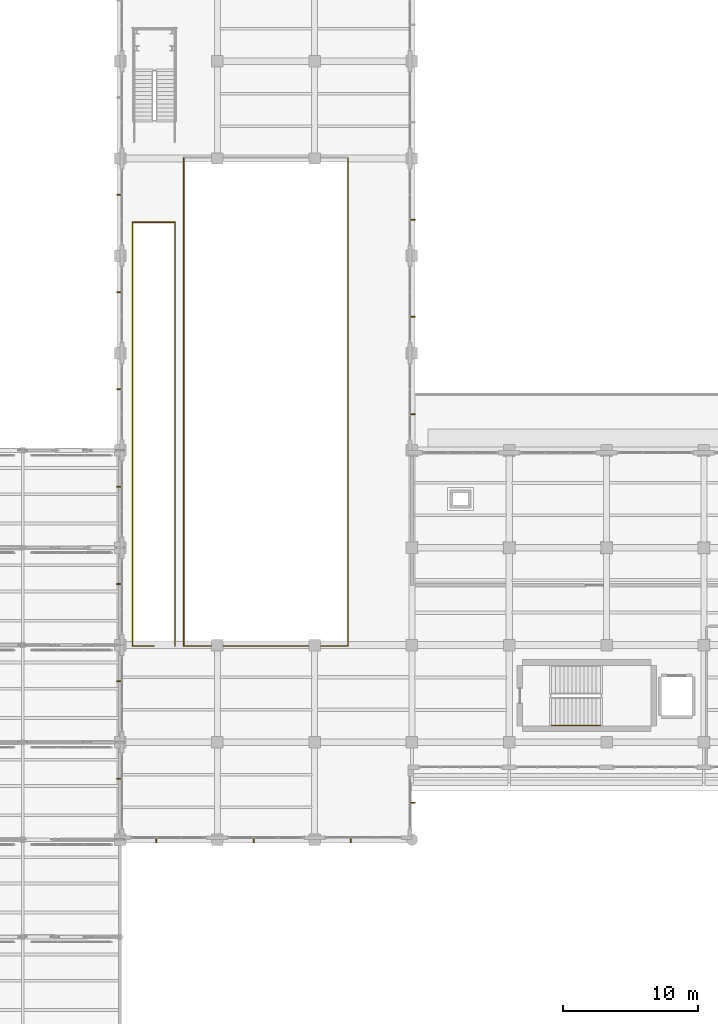
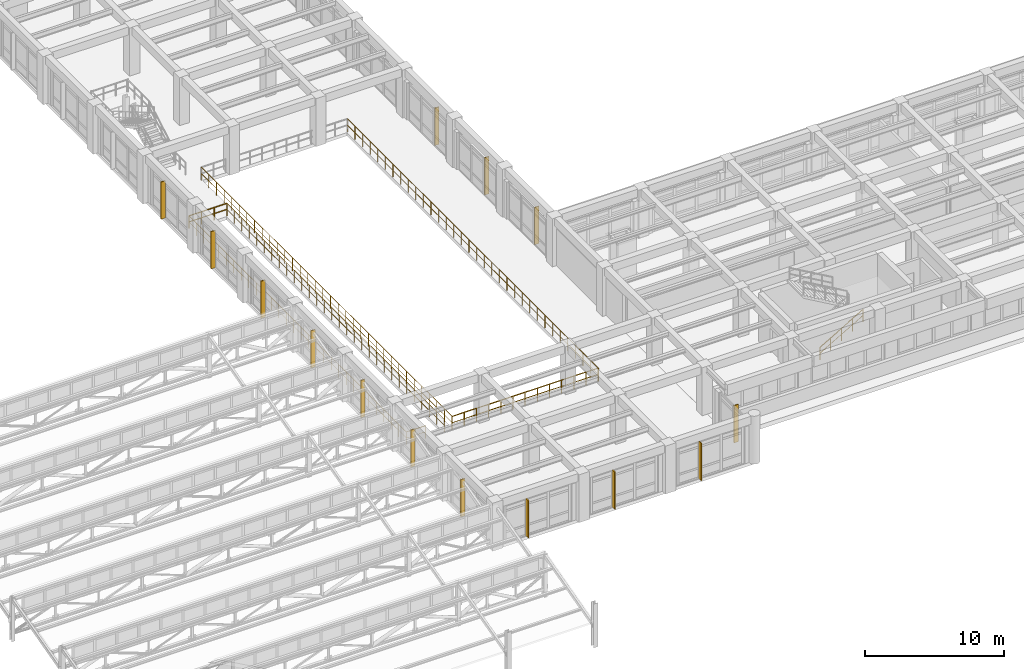
# One storey, part 90 of 98: 14 shading devices, 8 railings.
"""IFC4 building model written with IfcOpenShell, lengths in metres."""

from ifc_helpers import new_model, si_unit, direction, frame, origin, origin_2d, place, context, subcontext, project, spatial, rectangle, circle, extrude, material, material_profile, profile_set, type_object, element, save


model = new_model("IFC4")

# Units and contexts
model_context = context("Model", 3, precision=1e-05, world=origin(), true_north=direction((0.0, 1.0)))
body_context = subcontext(model_context, "Body", "Model", "MODEL_VIEW")
ifc_project = project(units=[si_unit("LENGTHUNIT", "METRE"), si_unit("AREAUNIT", "SQUARE_METRE"), si_unit("VOLUMEUNIT", "CUBIC_METRE"), si_unit("PLANEANGLEUNIT", "RADIAN"), si_unit("MASSUNIT", "GRAM", prefix="KILO")], contexts=[model_context])

# Site, building, storey
site_placement = place(None, origin())
site = spatial("IfcSite", under=ifc_project, at=site_placement, CompositionType="ELEMENT")
building_placement = place(site_placement, origin())
building = spatial("IfcBuilding", under=site, at=building_placement, Name="Solenvale Faculty of Natural Sciences", CompositionType="ELEMENT")
storey_placement = place(building_placement, frame((0.0, 0.0, 9.0)))
storey = spatial("IfcBuildingStorey", under=building, at=storey_placement, Name="L02", CompositionType="ELEMENT", Elevation=9.0)

# Railings
ifc_material_1 = material(Name="Stainless steel Grade 304", Category="steel")
railing_type_1 = type_object("IfcRailingType", Name="RL-GRD-1100", PredefinedType="GUARDRAIL", material=ifc_material_1)
railing_1_placement = place(storey_placement, frame((36.919921875, 28.719970703125, 0.0)))
element("IfcRailing", 1, at=railing_1_placement, inside=storey, type_object=railing_type_1, Name="L02 Ramp Opening Guardrail S", PredefinedType="GUARDRAIL", context=body_context, shape_type="SweptSolid", body=[
    extrude(circle(Radius=0.02392578125, at=origin_2d()), frame((0.0, 0.0, 1.09619140625), z_axis=(1.0, 0.0, 0.0), x_axis=(0.0, 1.0, 0.0)), (0.0, 0.0, 1.0), 1.580078125),
    extrude(circle(Radius=0.01611328125, at=origin_2d()), frame((0.0, 0.0, 0.56005859375), z_axis=(1.0, 0.0, 0.0), x_axis=(0.0, 1.0, 0.0)), (0.0, 0.0, 1.0), 1.580078125),
    extrude(circle(Radius=0.02099609375, at=origin_2d()), origin(), (0.0, 0.0, 1.0), 1.072021484375),
    extrude(circle(Radius=0.02099609375, at=origin_2d()), frame((0.7900390625, 0.0, 0.0)), (0.0, 0.0, 1.0), 1.072021484375),
    extrude(circle(Radius=0.02099609375, at=origin_2d()), frame((1.580078125, 0.0, 0.0)), (0.0, 0.0, 1.0), 1.072021484375),
])
railing_2_placement = place(storey_placement, frame((36.919921875, 28.719970703125, 0.0)))
element("IfcRailing", 2, at=railing_2_placement, inside=storey, type_object=railing_type_1, Name="L02 Ramp Opening Guardrail W", PredefinedType="GUARDRAIL", context=body_context, shape_type="SweptSolid", body=[
    extrude(circle(Radius=0.02392578125, at=origin_2d()), frame((0.0, 0.0, 1.09619140625), z_axis=(0.0, 1.0, 0.0), x_axis=(-1.0, 0.0, 0.0)), (0.0, 0.0, 1.0), 31.360107421875),
    extrude(circle(Radius=0.01611328125, at=origin_2d()), frame((0.0, 0.0, 0.56005859375), z_axis=(0.0, 1.0, 0.0), x_axis=(-1.0, 0.0, 0.0)), (0.0, 0.0, 1.0), 31.360107421875),
    extrude(circle(Radius=0.02099609375, at=origin_2d()), origin(), (0.0, 0.0, 1.0), 1.072021484375),
    extrude(circle(Radius=0.02099609375, at=origin_2d()), frame((0.0, 1.081298828125, 0.0)), (0.0, 0.0, 1.0), 1.072021484375),
    extrude(circle(Radius=0.02099609375, at=origin_2d()), frame((0.0, 2.162841796875, 0.0)), (0.0, 0.0, 1.0), 1.072021484375),
    extrude(circle(Radius=0.02099609375, at=origin_2d()), frame((0.0, 3.244140625, 0.0)), (0.0, 0.0, 1.0), 1.072021484375),
    extrude(circle(Radius=0.02099609375, at=origin_2d()), frame((0.0, 4.325439453125, 0.0)), (0.0, 0.0, 1.0), 1.072021484375),
    extrude(circle(Radius=0.02099609375, at=origin_2d()), frame((0.0, 5.406982421875, 0.0)), (0.0, 0.0, 1.0), 1.072021484375),
    extrude(circle(Radius=0.02099609375, at=origin_2d()), frame((0.0, 6.48828125, 0.0)), (0.0, 0.0, 1.0), 1.072021484375),
    extrude(circle(Radius=0.02099609375, at=origin_2d()), frame((0.0, 7.569580078125, 0.0)), (0.0, 0.0, 1.0), 1.072021484375),
    extrude(circle(Radius=0.02099609375, at=origin_2d()), frame((0.0, 8.651123046875, 0.0)), (0.0, 0.0, 1.0), 1.072021484375),
    extrude(circle(Radius=0.02099609375, at=origin_2d()), frame((0.0, 9.732421875, 0.0)), (0.0, 0.0, 1.0), 1.072021484375),
    extrude(circle(Radius=0.02099609375, at=origin_2d()), frame((0.0, 10.813720703125, 0.0)), (0.0, 0.0, 1.0), 1.072021484375),
    extrude(circle(Radius=0.02099609375, at=origin_2d()), frame((0.0, 11.895263671875, 0.0)), (0.0, 0.0, 1.0), 1.072021484375),
    extrude(circle(Radius=0.02099609375, at=origin_2d()), frame((0.0, 12.9765625, 0.0)), (0.0, 0.0, 1.0), 1.072021484375),
    extrude(circle(Radius=0.02099609375, at=origin_2d()), frame((0.0, 14.057861328125, 0.0)), (0.0, 0.0, 1.0), 1.072021484375),
    extrude(circle(Radius=0.02099609375, at=origin_2d()), frame((0.0, 15.139404296875, 0.0)), (0.0, 0.0, 1.0), 1.072021484375),
    extrude(circle(Radius=0.02099609375, at=origin_2d()), frame((0.0, 16.220703125, 0.0)), (0.0, 0.0, 1.0), 1.072021484375),
    extrude(circle(Radius=0.02099609375, at=origin_2d()), frame((0.0, 17.30224609375, 0.0)), (0.0, 0.0, 1.0), 1.072021484375),
    extrude(circle(Radius=0.02099609375, at=origin_2d()), frame((0.0, 18.383544921875, 0.0)), (0.0, 0.0, 1.0), 1.072021484375),
    extrude(circle(Radius=0.02099609375, at=origin_2d()), frame((0.0, 19.46484375, 0.0)), (0.0, 0.0, 1.0), 1.072021484375),
    extrude(circle(Radius=0.02099609375, at=origin_2d()), frame((0.0, 20.54638671875, 0.0)), (0.0, 0.0, 1.0), 1.072021484375),
    extrude(circle(Radius=0.02099609375, at=origin_2d()), frame((0.0, 21.627685546875, 0.0)), (0.0, 0.0, 1.0), 1.072021484375),
    extrude(circle(Radius=0.02099609375, at=origin_2d()), frame((0.0, 22.708984375, 0.0)), (0.0, 0.0, 1.0), 1.072021484375),
    extrude(circle(Radius=0.02099609375, at=origin_2d()), frame((0.0, 23.79052734375, 0.0)), (0.0, 0.0, 1.0), 1.072021484375),
    extrude(circle(Radius=0.02099609375, at=origin_2d()), frame((0.0, 24.871826171875, 0.0)), (0.0, 0.0, 1.0), 1.072021484375),
    extrude(circle(Radius=0.02099609375, at=origin_2d()), frame((0.0, 25.953125, 0.0)), (0.0, 0.0, 1.0), 1.072021484375),
    extrude(circle(Radius=0.02099609375, at=origin_2d()), frame((0.0, 27.03466796875, 0.0)), (0.0, 0.0, 1.0), 1.072021484375),
    extrude(circle(Radius=0.02099609375, at=origin_2d()), frame((0.0, 28.115966796875, 0.0)), (0.0, 0.0, 1.0), 1.072021484375),
    extrude(circle(Radius=0.02099609375, at=origin_2d()), frame((0.0, 29.197265625, 0.0)), (0.0, 0.0, 1.0), 1.072021484375),
    extrude(circle(Radius=0.02099609375, at=origin_2d()), frame((0.0, 30.27880859375, 0.0)), (0.0, 0.0, 1.0), 1.072021484375),
    extrude(circle(Radius=0.02099609375, at=origin_2d()), frame((0.0, 31.360107421875, 0.0)), (0.0, 0.0, 1.0), 1.072021484375),
])
railing_3_placement = place(storey_placement, frame((36.919921875, 60.080078125, 0.0)))
element("IfcRailing", 3, at=railing_3_placement, inside=storey, type_object=railing_type_1, Name="L02 Ramp Opening Guardrail N", PredefinedType="GUARDRAIL", context=body_context, shape_type="SweptSolid", body=[
    extrude(circle(Radius=0.02392578125, at=origin_2d()), frame((0.0, 0.0, 1.09619140625), z_axis=(1.0, 0.0, 0.0), x_axis=(0.0, 1.0, 0.0)), (0.0, 0.0, 1.0), 3.16015625),
    extrude(circle(Radius=0.01611328125, at=origin_2d()), frame((0.0, 0.0, 0.56005859375), z_axis=(1.0, 0.0, 0.0), x_axis=(0.0, 1.0, 0.0)), (0.0, 0.0, 1.0), 3.16015625),
    extrude(circle(Radius=0.02099609375, at=origin_2d()), origin(), (0.0, 0.0, 1.0), 1.072021484375),
    extrude(circle(Radius=0.02099609375, at=origin_2d()), frame((1.053466796875, 0.0, 0.0)), (0.0, 0.0, 1.0), 1.072021484375),
    extrude(circle(Radius=0.02099609375, at=origin_2d()), frame((2.106689453125, 0.0, 0.0)), (0.0, 0.0, 1.0), 1.072021484375),
    extrude(circle(Radius=0.02099609375, at=origin_2d()), frame((3.16015625, 0.0, 0.0)), (0.0, 0.0, 1.0), 1.072021484375),
])
railing_4_placement = place(storey_placement, frame((40.080078125, 60.080078125, 0.0)))
element("IfcRailing", 4, at=railing_4_placement, inside=storey, type_object=railing_type_1, Name="L02 Ramp Opening Guardrail E", PredefinedType="GUARDRAIL", context=body_context, shape_type="SweptSolid", body=[
    extrude(circle(Radius=0.02392578125, at=origin_2d()), frame((0.0, 0.0, 1.09619140625), z_axis=(0.0, -1.0, 0.0), x_axis=(1.0, 0.0, 0.0)), (0.0, 0.0, 1.0), 31.360107421875),
    extrude(circle(Radius=0.01611328125, at=origin_2d()), frame((0.0, 0.0, 0.56005859375), z_axis=(0.0, -1.0, 0.0), x_axis=(1.0, 0.0, 0.0)), (0.0, 0.0, 1.0), 31.360107421875),
    extrude(circle(Radius=0.02099609375, at=origin_2d()), origin(), (0.0, 0.0, 1.0), 1.072021484375),
    extrude(circle(Radius=0.02099609375, at=origin_2d()), frame((0.0, -1.081298828125, 0.0)), (0.0, 0.0, 1.0), 1.072021484375),
    extrude(circle(Radius=0.02099609375, at=origin_2d()), frame((0.0, -2.162841796875, 0.0)), (0.0, 0.0, 1.0), 1.072021484375),
    extrude(circle(Radius=0.02099609375, at=origin_2d()), frame((0.0, -3.244140625, 0.0)), (0.0, 0.0, 1.0), 1.072021484375),
    extrude(circle(Radius=0.02099609375, at=origin_2d()), frame((0.0, -4.325439453125, 0.0)), (0.0, 0.0, 1.0), 1.072021484375),
    extrude(circle(Radius=0.02099609375, at=origin_2d()), frame((0.0, -5.406982421875, 0.0)), (0.0, 0.0, 1.0), 1.072021484375),
    extrude(circle(Radius=0.02099609375, at=origin_2d()), frame((0.0, -6.48828125, 0.0)), (0.0, 0.0, 1.0), 1.072021484375),
    extrude(circle(Radius=0.02099609375, at=origin_2d()), frame((0.0, -7.569580078125, 0.0)), (0.0, 0.0, 1.0), 1.072021484375),
    extrude(circle(Radius=0.02099609375, at=origin_2d()), frame((0.0, -8.651123046875, 0.0)), (0.0, 0.0, 1.0), 1.072021484375),
    extrude(circle(Radius=0.02099609375, at=origin_2d()), frame((0.0, -9.732421875, 0.0)), (0.0, 0.0, 1.0), 1.072021484375),
    extrude(circle(Radius=0.02099609375, at=origin_2d()), frame((0.0, -10.813720703125, 0.0)), (0.0, 0.0, 1.0), 1.072021484375),
    extrude(circle(Radius=0.02099609375, at=origin_2d()), frame((0.0, -11.895263671875, 0.0)), (0.0, 0.0, 1.0), 1.072021484375),
    extrude(circle(Radius=0.02099609375, at=origin_2d()), frame((0.0, -12.9765625, 0.0)), (0.0, 0.0, 1.0), 1.072021484375),
    extrude(circle(Radius=0.02099609375, at=origin_2d()), frame((0.0, -14.057861328125, 0.0)), (0.0, 0.0, 1.0), 1.072021484375),
    extrude(circle(Radius=0.02099609375, at=origin_2d()), frame((0.0, -15.139404296875, 0.0)), (0.0, 0.0, 1.0), 1.072021484375),
    extrude(circle(Radius=0.02099609375, at=origin_2d()), frame((0.0, -16.220703125, 0.0)), (0.0, 0.0, 1.0), 1.072021484375),
    extrude(circle(Radius=0.02099609375, at=origin_2d()), frame((0.0, -17.30224609375, 0.0)), (0.0, 0.0, 1.0), 1.072021484375),
    extrude(circle(Radius=0.02099609375, at=origin_2d()), frame((0.0, -18.383544921875, 0.0)), (0.0, 0.0, 1.0), 1.072021484375),
    extrude(circle(Radius=0.02099609375, at=origin_2d()), frame((0.0, -19.46484375, 0.0)), (0.0, 0.0, 1.0), 1.072021484375),
    extrude(circle(Radius=0.02099609375, at=origin_2d()), frame((0.0, -20.54638671875, 0.0)), (0.0, 0.0, 1.0), 1.072021484375),
    extrude(circle(Radius=0.02099609375, at=origin_2d()), frame((0.0, -21.627685546875, 0.0)), (0.0, 0.0, 1.0), 1.072021484375),
    extrude(circle(Radius=0.02099609375, at=origin_2d()), frame((0.0, -22.708984375, 0.0)), (0.0, 0.0, 1.0), 1.072021484375),
    extrude(circle(Radius=0.02099609375, at=origin_2d()), frame((0.0, -23.79052734375, 0.0)), (0.0, 0.0, 1.0), 1.072021484375),
    extrude(circle(Radius=0.02099609375, at=origin_2d()), frame((0.0, -24.871826171875, 0.0)), (0.0, 0.0, 1.0), 1.072021484375),
    extrude(circle(Radius=0.02099609375, at=origin_2d()), frame((0.0, -25.953125, 0.0)), (0.0, 0.0, 1.0), 1.072021484375),
    extrude(circle(Radius=0.02099609375, at=origin_2d()), frame((0.0, -27.03466796875, 0.0)), (0.0, 0.0, 1.0), 1.072021484375),
    extrude(circle(Radius=0.02099609375, at=origin_2d()), frame((0.0, -28.115966796875, 0.0)), (0.0, 0.0, 1.0), 1.072021484375),
    extrude(circle(Radius=0.02099609375, at=origin_2d()), frame((0.0, -29.197265625, 0.0)), (0.0, 0.0, 1.0), 1.072021484375),
    extrude(circle(Radius=0.02099609375, at=origin_2d()), frame((0.0, -30.27880859375, 0.0)), (0.0, 0.0, 1.0), 1.072021484375),
    extrude(circle(Radius=0.02099609375, at=origin_2d()), frame((0.0, -31.360107421875, 0.0)), (0.0, 0.0, 1.0), 1.072021484375),
])
railing_type_2 = type_object("IfcRailingType", Name="RL-GRD-ATR-1150", PredefinedType="GUARDRAIL", material=ifc_material_1)
railing_5_placement = place(storey_placement, frame((40.719970703125, 28.719970703125, 0.0)))
element("IfcRailing", 5, at=railing_5_placement, inside=storey, type_object=railing_type_2, Name="L02 Atrium Gallery Guardrail S", PredefinedType="GUARDRAIL", context=body_context, shape_type="SweptSolid", body=[
    extrude(circle(Radius=0.02392578125, at=origin_2d()), frame((0.0, 0.0, 1.1357421875), z_axis=(1.0, 0.0, 0.0), x_axis=(0.0, 1.0, 0.0)), (0.0, 0.0, 1.0), 12.159912109375),
    extrude(circle(Radius=0.01611328125, at=origin_2d()), frame((0.0, 0.0, 0.580078125), z_axis=(1.0, 0.0, 0.0), x_axis=(0.0, 1.0, 0.0)), (0.0, 0.0, 1.0), 12.159912109375),
    extrude(circle(Radius=0.02099609375, at=origin_2d()), origin(), (0.0, 0.0, 1.0), 1.11181640625),
    extrude(circle(Radius=0.02099609375, at=origin_2d()), frame((1.013427734375, 0.0, 0.0)), (0.0, 0.0, 1.0), 1.11181640625),
    extrude(circle(Radius=0.02099609375, at=origin_2d()), frame((2.026611328125, 0.0, 0.0)), (0.0, 0.0, 1.0), 1.11181640625),
    extrude(circle(Radius=0.02099609375, at=origin_2d()), frame((3.0400390625, 0.0, 0.0)), (0.0, 0.0, 1.0), 1.11181640625),
    extrude(circle(Radius=0.02099609375, at=origin_2d()), frame((4.05322265625, 0.0, 0.0)), (0.0, 0.0, 1.0), 1.11181640625),
    extrude(circle(Radius=0.02099609375, at=origin_2d()), frame((5.066650390625, 0.0, 0.0)), (0.0, 0.0, 1.0), 1.11181640625),
    extrude(circle(Radius=0.02099609375, at=origin_2d()), frame((6.080078125, 0.0, 0.0)), (0.0, 0.0, 1.0), 1.11181640625),
    extrude(circle(Radius=0.02099609375, at=origin_2d()), frame((7.09326171875, 0.0, 0.0)), (0.0, 0.0, 1.0), 1.11181640625),
    extrude(circle(Radius=0.02099609375, at=origin_2d()), frame((8.106689453125, 0.0, 0.0)), (0.0, 0.0, 1.0), 1.11181640625),
    extrude(circle(Radius=0.02099609375, at=origin_2d()), frame((9.119873046875, 0.0, 0.0)), (0.0, 0.0, 1.0), 1.11181640625),
    extrude(circle(Radius=0.02099609375, at=origin_2d()), frame((10.13330078125, 0.0, 0.0)), (0.0, 0.0, 1.0), 1.11181640625),
    extrude(circle(Radius=0.02099609375, at=origin_2d()), frame((11.146484375, 0.0, 0.0)), (0.0, 0.0, 1.0), 1.11181640625),
    extrude(circle(Radius=0.02099609375, at=origin_2d()), frame((12.159912109375, 0.0, 0.0)), (0.0, 0.0, 1.0), 1.11181640625),
])
railing_6_placement = place(storey_placement, frame((52.8798828125, 28.719970703125, 0.0)))
element("IfcRailing", 6, at=railing_6_placement, inside=storey, type_object=railing_type_2, Name="L02 Atrium Gallery Guardrail E", PredefinedType="GUARDRAIL", context=body_context, shape_type="SweptSolid", body=[
    extrude(circle(Radius=0.02392578125, at=origin_2d()), frame((0.0, 0.0, 1.1357421875), z_axis=(0.0, 1.0, 0.0), x_axis=(-1.0, 0.0, 0.0)), (0.0, 0.0, 1.0), 36.159912109375),
    extrude(circle(Radius=0.01611328125, at=origin_2d()), frame((0.0, 0.0, 0.580078125), z_axis=(0.0, 1.0, 0.0), x_axis=(-1.0, 0.0, 0.0)), (0.0, 0.0, 1.0), 36.159912109375),
    extrude(circle(Radius=0.02099609375, at=origin_2d()), origin(), (0.0, 0.0, 1.0), 1.11181640625),
    extrude(circle(Radius=0.02099609375, at=origin_2d()), frame((0.0, 1.095703125, 0.0)), (0.0, 0.0, 1.0), 1.11181640625),
    extrude(circle(Radius=0.02099609375, at=origin_2d()), frame((0.0, 2.19140625, 0.0)), (0.0, 0.0, 1.0), 1.11181640625),
    extrude(circle(Radius=0.02099609375, at=origin_2d()), frame((0.0, 3.287353515625, 0.0)), (0.0, 0.0, 1.0), 1.11181640625),
    extrude(circle(Radius=0.02099609375, at=origin_2d()), frame((0.0, 4.383056640625, 0.0)), (0.0, 0.0, 1.0), 1.11181640625),
    extrude(circle(Radius=0.02099609375, at=origin_2d()), frame((0.0, 5.478759765625, 0.0)), (0.0, 0.0, 1.0), 1.11181640625),
    extrude(circle(Radius=0.02099609375, at=origin_2d()), frame((0.0, 6.574462890625, 0.0)), (0.0, 0.0, 1.0), 1.11181640625),
    extrude(circle(Radius=0.02099609375, at=origin_2d()), frame((0.0, 7.670166015625, 0.0)), (0.0, 0.0, 1.0), 1.11181640625),
    extrude(circle(Radius=0.02099609375, at=origin_2d()), frame((0.0, 8.76611328125, 0.0)), (0.0, 0.0, 1.0), 1.11181640625),
    extrude(circle(Radius=0.02099609375, at=origin_2d()), frame((0.0, 9.86181640625, 0.0)), (0.0, 0.0, 1.0), 1.11181640625),
    extrude(circle(Radius=0.02099609375, at=origin_2d()), frame((0.0, 10.95751953125, 0.0)), (0.0, 0.0, 1.0), 1.11181640625),
    extrude(circle(Radius=0.02099609375, at=origin_2d()), frame((0.0, 12.05322265625, 0.0)), (0.0, 0.0, 1.0), 1.11181640625),
    extrude(circle(Radius=0.02099609375, at=origin_2d()), frame((0.0, 13.149169921875, 0.0)), (0.0, 0.0, 1.0), 1.11181640625),
    extrude(circle(Radius=0.02099609375, at=origin_2d()), frame((0.0, 14.244873046875, 0.0)), (0.0, 0.0, 1.0), 1.11181640625),
    extrude(circle(Radius=0.02099609375, at=origin_2d()), frame((0.0, 15.340576171875, 0.0)), (0.0, 0.0, 1.0), 1.11181640625),
    extrude(circle(Radius=0.02099609375, at=origin_2d()), frame((0.0, 16.436279296875, 0.0)), (0.0, 0.0, 1.0), 1.11181640625),
    extrude(circle(Radius=0.02099609375, at=origin_2d()), frame((0.0, 17.531982421875, 0.0)), (0.0, 0.0, 1.0), 1.11181640625),
    extrude(circle(Radius=0.02099609375, at=origin_2d()), frame((0.0, 18.6279296875, 0.0)), (0.0, 0.0, 1.0), 1.11181640625),
    extrude(circle(Radius=0.02099609375, at=origin_2d()), frame((0.0, 19.7236328125, 0.0)), (0.0, 0.0, 1.0), 1.11181640625),
    extrude(circle(Radius=0.02099609375, at=origin_2d()), frame((0.0, 20.8193359375, 0.0)), (0.0, 0.0, 1.0), 1.11181640625),
    extrude(circle(Radius=0.02099609375, at=origin_2d()), frame((0.0, 21.9150390625, 0.0)), (0.0, 0.0, 1.0), 1.11181640625),
    extrude(circle(Radius=0.02099609375, at=origin_2d()), frame((0.0, 23.0107421875, 0.0)), (0.0, 0.0, 1.0), 1.11181640625),
    extrude(circle(Radius=0.02099609375, at=origin_2d()), frame((0.0, 24.106689453125, 0.0)), (0.0, 0.0, 1.0), 1.11181640625),
    extrude(circle(Radius=0.02099609375, at=origin_2d()), frame((0.0, 25.202392578125, 0.0)), (0.0, 0.0, 1.0), 1.11181640625),
    extrude(circle(Radius=0.02099609375, at=origin_2d()), frame((0.0, 26.298095703125, 0.0)), (0.0, 0.0, 1.0), 1.11181640625),
    extrude(circle(Radius=0.02099609375, at=origin_2d()), frame((0.0, 27.393798828125, 0.0)), (0.0, 0.0, 1.0), 1.11181640625),
    extrude(circle(Radius=0.02099609375, at=origin_2d()), frame((0.0, 28.48974609375, 0.0)), (0.0, 0.0, 1.0), 1.11181640625),
    extrude(circle(Radius=0.02099609375, at=origin_2d()), frame((0.0, 29.58544921875, 0.0)), (0.0, 0.0, 1.0), 1.11181640625),
    extrude(circle(Radius=0.02099609375, at=origin_2d()), frame((0.0, 30.68115234375, 0.0)), (0.0, 0.0, 1.0), 1.11181640625),
    extrude(circle(Radius=0.02099609375, at=origin_2d()), frame((0.0, 31.77685546875, 0.0)), (0.0, 0.0, 1.0), 1.11181640625),
    extrude(circle(Radius=0.02099609375, at=origin_2d()), frame((0.0, 32.87255859375, 0.0)), (0.0, 0.0, 1.0), 1.11181640625),
    extrude(circle(Radius=0.02099609375, at=origin_2d()), frame((0.0, 33.968505859375, 0.0)), (0.0, 0.0, 1.0), 1.11181640625),
    extrude(circle(Radius=0.02099609375, at=origin_2d()), frame((0.0, 35.064208984375, 0.0)), (0.0, 0.0, 1.0), 1.11181640625),
    extrude(circle(Radius=0.02099609375, at=origin_2d()), frame((0.0, 36.159912109375, 0.0)), (0.0, 0.0, 1.0), 1.11181640625),
])
railing_7_placement = place(storey_placement, frame((40.719970703125, 64.8798828125, 0.0)))
element("IfcRailing", 7, at=railing_7_placement, inside=storey, type_object=railing_type_2, Name="L02 Atrium Gallery Guardrail W", PredefinedType="GUARDRAIL", context=body_context, shape_type="SweptSolid", body=[
    extrude(circle(Radius=0.02392578125, at=origin_2d()), frame((0.0, 0.0, 1.1357421875), z_axis=(0.0, -1.0, 0.0), x_axis=(1.0, 0.0, 0.0)), (0.0, 0.0, 1.0), 36.159912109375),
    extrude(circle(Radius=0.01611328125, at=origin_2d()), frame((0.0, 0.0, 0.580078125), z_axis=(0.0, -1.0, 0.0), x_axis=(1.0, 0.0, 0.0)), (0.0, 0.0, 1.0), 36.159912109375),
    extrude(circle(Radius=0.02099609375, at=origin_2d()), origin(), (0.0, 0.0, 1.0), 1.11181640625),
    extrude(circle(Radius=0.02099609375, at=origin_2d()), frame((0.0, -1.095703125, 0.0)), (0.0, 0.0, 1.0), 1.11181640625),
    extrude(circle(Radius=0.02099609375, at=origin_2d()), frame((0.0, -2.19140625, 0.0)), (0.0, 0.0, 1.0), 1.11181640625),
    extrude(circle(Radius=0.02099609375, at=origin_2d()), frame((0.0, -3.287353515625, 0.0)), (0.0, 0.0, 1.0), 1.11181640625),
    extrude(circle(Radius=0.02099609375, at=origin_2d()), frame((0.0, -4.383056640625, 0.0)), (0.0, 0.0, 1.0), 1.11181640625),
    extrude(circle(Radius=0.02099609375, at=origin_2d()), frame((0.0, -5.478759765625, 0.0)), (0.0, 0.0, 1.0), 1.11181640625),
    extrude(circle(Radius=0.02099609375, at=origin_2d()), frame((0.0, -6.574462890625, 0.0)), (0.0, 0.0, 1.0), 1.11181640625),
    extrude(circle(Radius=0.02099609375, at=origin_2d()), frame((0.0, -7.670166015625, 0.0)), (0.0, 0.0, 1.0), 1.11181640625),
    extrude(circle(Radius=0.02099609375, at=origin_2d()), frame((0.0, -8.76611328125, 0.0)), (0.0, 0.0, 1.0), 1.11181640625),
    extrude(circle(Radius=0.02099609375, at=origin_2d()), frame((0.0, -9.86181640625, 0.0)), (0.0, 0.0, 1.0), 1.11181640625),
    extrude(circle(Radius=0.02099609375, at=origin_2d()), frame((0.0, -10.95751953125, 0.0)), (0.0, 0.0, 1.0), 1.11181640625),
    extrude(circle(Radius=0.02099609375, at=origin_2d()), frame((0.0, -12.05322265625, 0.0)), (0.0, 0.0, 1.0), 1.11181640625),
    extrude(circle(Radius=0.02099609375, at=origin_2d()), frame((0.0, -13.149169921875, 0.0)), (0.0, 0.0, 1.0), 1.11181640625),
    extrude(circle(Radius=0.02099609375, at=origin_2d()), frame((0.0, -14.244873046875, 0.0)), (0.0, 0.0, 1.0), 1.11181640625),
    extrude(circle(Radius=0.02099609375, at=origin_2d()), frame((0.0, -15.340576171875, 0.0)), (0.0, 0.0, 1.0), 1.11181640625),
    extrude(circle(Radius=0.02099609375, at=origin_2d()), frame((0.0, -16.436279296875, 0.0)), (0.0, 0.0, 1.0), 1.11181640625),
    extrude(circle(Radius=0.02099609375, at=origin_2d()), frame((0.0, -17.531982421875, 0.0)), (0.0, 0.0, 1.0), 1.11181640625),
    extrude(circle(Radius=0.02099609375, at=origin_2d()), frame((0.0, -18.6279296875, 0.0)), (0.0, 0.0, 1.0), 1.11181640625),
    extrude(circle(Radius=0.02099609375, at=origin_2d()), frame((0.0, -19.7236328125, 0.0)), (0.0, 0.0, 1.0), 1.11181640625),
    extrude(circle(Radius=0.02099609375, at=origin_2d()), frame((0.0, -20.8193359375, 0.0)), (0.0, 0.0, 1.0), 1.11181640625),
    extrude(circle(Radius=0.02099609375, at=origin_2d()), frame((0.0, -21.9150390625, 0.0)), (0.0, 0.0, 1.0), 1.11181640625),
    extrude(circle(Radius=0.02099609375, at=origin_2d()), frame((0.0, -23.0107421875, 0.0)), (0.0, 0.0, 1.0), 1.11181640625),
    extrude(circle(Radius=0.02099609375, at=origin_2d()), frame((0.0, -24.106689453125, 0.0)), (0.0, 0.0, 1.0), 1.11181640625),
    extrude(circle(Radius=0.02099609375, at=origin_2d()), frame((0.0, -25.202392578125, 0.0)), (0.0, 0.0, 1.0), 1.11181640625),
    extrude(circle(Radius=0.02099609375, at=origin_2d()), frame((0.0, -26.298095703125, 0.0)), (0.0, 0.0, 1.0), 1.11181640625),
    extrude(circle(Radius=0.02099609375, at=origin_2d()), frame((0.0, -27.393798828125, 0.0)), (0.0, 0.0, 1.0), 1.11181640625),
    extrude(circle(Radius=0.02099609375, at=origin_2d()), frame((0.0, -28.48974609375, 0.0)), (0.0, 0.0, 1.0), 1.11181640625),
    extrude(circle(Radius=0.02099609375, at=origin_2d()), frame((0.0, -29.58544921875, 0.0)), (0.0, 0.0, 1.0), 1.11181640625),
    extrude(circle(Radius=0.02099609375, at=origin_2d()), frame((0.0, -30.68115234375, 0.0)), (0.0, 0.0, 1.0), 1.11181640625),
    extrude(circle(Radius=0.02099609375, at=origin_2d()), frame((0.0, -31.77685546875, 0.0)), (0.0, 0.0, 1.0), 1.11181640625),
    extrude(circle(Radius=0.02099609375, at=origin_2d()), frame((0.0, -32.87255859375, 0.0)), (0.0, 0.0, 1.0), 1.11181640625),
    extrude(circle(Radius=0.02099609375, at=origin_2d()), frame((0.0, -33.968505859375, 0.0)), (0.0, 0.0, 1.0), 1.11181640625),
    extrude(circle(Radius=0.02099609375, at=origin_2d()), frame((0.0, -35.064208984375, 0.0)), (0.0, 0.0, 1.0), 1.11181640625),
    extrude(circle(Radius=0.02099609375, at=origin_2d()), frame((0.0, -36.159912109375, 0.0)), (0.0, 0.0, 1.0), 1.11181640625),
])
railing_type_3 = type_object("IfcRailingType", Name="RL-HND-900", PredefinedType="HANDRAIL", material=ifc_material_1)
railing_8_placement = place(storey_placement, frame((67.93994140625, 22.85009765625, 0.173095703125)))
element("IfcRailing", 8, at=railing_8_placement, inside=storey, type_object=railing_type_3, Name="L02 ST-03 stair handrail 1", PredefinedType="HANDRAIL", context=body_context, shape_type="SweptSolid", body=[
    extrude(circle(Radius=0.02392578125, at=origin_2d()), frame((0.0, 0.0, 1.0732421875), z_axis=(0.866193409371, 0.0, 0.499708892819), x_axis=(0.0, 1.0, 0.0)), (0.0, 0.0, 1.0), 4.15625),
    extrude(circle(Radius=0.01611328125, at=origin_2d()), frame((0.0, 0.0, 0.548583984375), z_axis=(0.866193409371, 0.0, 0.499708892819), x_axis=(0.0, 1.0, 0.0)), (0.0, 0.0, 1.0), 4.15625),
    extrude(circle(Radius=0.02099609375, at=origin_2d()), origin(), (0.0, 0.0, 1.0), 1.049072265625),
    extrude(circle(Radius=0.02099609375, at=origin_2d()), frame((0.89990234375, 0.0, 0.519287109375)), (0.0, 0.0, 1.0), 1.049072265625),
    extrude(circle(Radius=0.02099609375, at=origin_2d()), frame((1.800048828125, 0.0, 1.03857421875)), (0.0, 0.0, 1.0), 1.049072265625),
    extrude(circle(Radius=0.02099609375, at=origin_2d()), frame((2.7001953125, 0.0, 1.5576171875)), (0.0, 0.0, 1.0), 1.049072265625),
    extrude(circle(Radius=0.02099609375, at=origin_2d()), frame((3.60009765625, 0.0, 2.076904296875)), (0.0, 0.0, 1.0), 1.049072265625),
])

# Shading devices
ifc_material_2 = material(Name="Anodised bronze aluminium", Category="aluminium")
ifc_material_profile = material_profile(ifc_material_2, rectangle(XDim=0.080078125, YDim=0.360107421875, at=origin_2d()), Name="ALU-FIN-80x360")
ifc_profile_set = profile_set([ifc_material_profile], Name="Anodised bronze aluminium")
shading_device_type = type_object("IfcShadingDeviceType", Name="SHD-FIN-360", PredefinedType="JALOUSIE", material=ifc_profile_set)
for number, where, z_axis, x_axis, name in (
    (9, (57.659912109375, 45.88330078125, -0.02001953125), (0.0, 0.0, 1.0), (0.0, 1.0, 0.0), "L02 Vertical Brise-Soleil Fin 7.1"),
    (10, (57.659912109375, 53.083251953125, -0.02001953125), (0.0, 0.0, 1.0), (0.0, 1.0, 0.0), "L02 Vertical Brise-Soleil Fin 7.2"),
    (11, (57.659912109375, 60.283447265625, -0.02001953125), (0.0, 0.0, 1.0), (0.0, 1.0, 0.0), "L02 Vertical Brise-Soleil Fin 7.3"),
    (12, (35.93994140625, 62.11669921875, -0.02001953125), (0.0, 0.0, 1.0), (0.0, 1.0, 0.0), "L02 Vertical Brise-Soleil Fin 9.5"),
    (13, (35.93994140625, 54.916748046875, -0.02001953125), (0.0, 0.0, 1.0), (0.0, 1.0, 0.0), "L02 Vertical Brise-Soleil Fin 9.6"),
    (14, (35.93994140625, 47.716552734375, -0.02001953125), (0.0, 0.0, 1.0), (0.0, 1.0, 0.0), "L02 Vertical Brise-Soleil Fin 9.7"),
    (15, (35.93994140625, 40.5166015625, -0.02001953125), (0.0, 0.0, 1.0), (0.0, 1.0, 0.0), "L02 Vertical Brise-Soleil Fin 9.8"),
    (16, (35.93994140625, 33.316650390625, -0.02001953125), (0.0, 0.0, 1.0), (0.0, 1.0, 0.0), "L02 Vertical Brise-Soleil Fin 9.9"),
    (17, (35.93994140625, 26.11669921875, -0.02001953125), (0.0, 0.0, 1.0), (0.0, 1.0, 0.0), "L02 Vertical Brise-Soleil Fin 9.10"),
    (18, (35.93994140625, 18.916748046875, -0.02001953125), (0.0, 0.0, 1.0), (0.0, 1.0, 0.0), "L02 Vertical Brise-Soleil Fin 9.11"),
    (19, (38.683349609375, 14.340087890625, -0.02001953125), (0.0, 0.0, 1.0), (1.0, 0.0, 0.0), "L02 Vertical Brise-Soleil Fin 10.1"),
    (20, (45.88330078125, 14.340087890625, -0.02001953125), (0.0, 0.0, 1.0), (1.0, 0.0, 0.0), "L02 Vertical Brise-Soleil Fin 10.2"),
    (21, (53.083251953125, 14.340087890625, -0.02001953125), (0.0, 0.0, 1.0), (1.0, 0.0, 0.0), "L02 Vertical Brise-Soleil Fin 10.3"),
    (22, (57.659912109375, 17.135009765625, -0.02001953125), (0.0, 0.0, 1.0), (0.0, 1.0, 0.0), "L02 Vertical Brise-Soleil Fin 11.1"),
):
    element("IfcShadingDevice", number, at=place(storey_placement, frame(where, z_axis=z_axis, x_axis=x_axis)), inside=storey, type_object=shading_device_type, Name=name, PredefinedType="JALOUSIE", context=body_context, shape_type="SweptSolid", body=[
        extrude(rectangle(XDim=0.080078125, YDim=0.360107421875, at=origin_2d()), origin(), (0.0, 0.0, 1.0), 3.280029296875),
    ])

save(model, "model.ifc")
